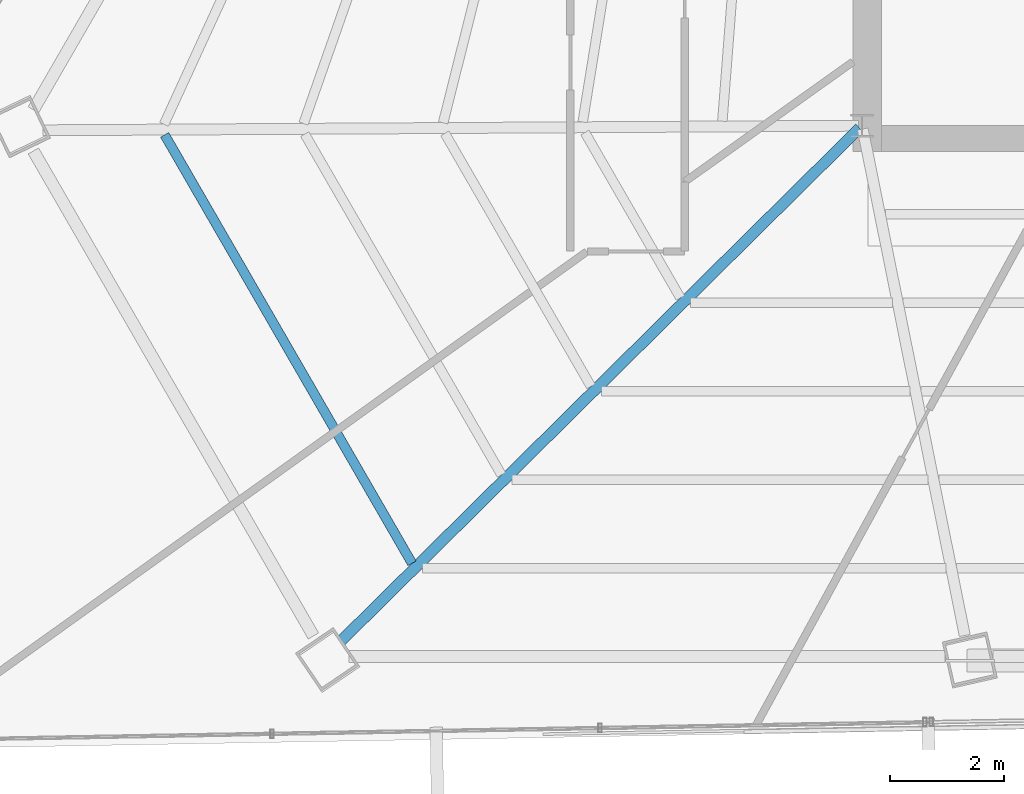
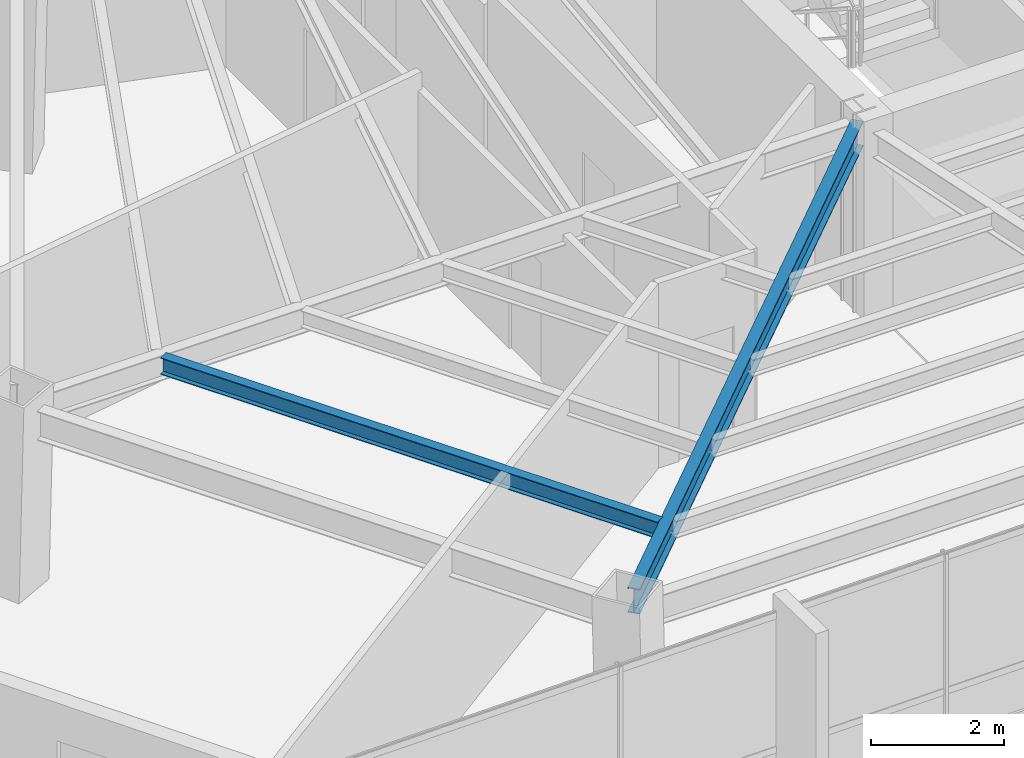
# One storey, part 7 of 42: 2 beams.
"""IFC4 building model written with IfcOpenShell, lengths in metres."""

import ifcopenshell
import ifcopenshell.guid

model = None  # the IFC model being written
_history = None  # IfcOwnerHistory: only IFC2X3 demands one
_inside = {}  # id of a spatial element -> (the spatial element, [elements in it])
_under = {}  # id of a project, library or spatial element -> (it, [spatial elements below it])
_declared = {}  # id of a project -> (the project, [libraries it declares])
_typed = {}  # id of a type object -> (the type object, [elements of that type])
_made_of = {}  # id of a material, layer set ... -> (it, [elements and type objects made of it])


def new_model(schema):
    """Start an empty IFC model of exactly this schema.

    Asked for "IFC4X3", IfcOpenShell would pick the latest addendum, in which some entities
    have other attributes; the version numbers below select the first issue.
    IFC2X3 requires an IfcOwnerHistory on every rooted entity: one is made here for all.
    """
    global model, _history
    if schema == "IFC4X3":
        model = ifcopenshell.file(schema_version=(4, 3, 0, 0))
    else:
        model = ifcopenshell.file(schema=schema)
    _inside.clear()
    _under.clear()
    _declared.clear()
    _typed.clear()
    _made_of.clear()
    _history = None
    if model.schema == "IFC2X3":
        org = make("IfcOrganization", Name="unknown")
        user = make(
            "IfcPersonAndOrganization",
            ThePerson=make("IfcPerson", FamilyName="unknown"),
            TheOrganization=org,
        )
        app = make(
            "IfcApplication",
            ApplicationDeveloper=org,
            Version="unknown",
            ApplicationFullName="unknown",
            ApplicationIdentifier="unknown",
        )
        _history = make(
            "IfcOwnerHistory",
            OwningUser=user,
            OwningApplication=app,
            ChangeAction="ADDED",
            CreationDate=0,
        )
    return model


def make(cls, **values):
    """One entity of the class cls with the attributes given. An attribute that is None is left unset."""
    return model.create_entity(
        cls, **{name: value for name, value in values.items() if value is not None}
    )


def rooted(cls, **values):
    """An entity with a GlobalId (a new one), such as an element, a storey or a relation."""
    return make(cls, GlobalId=ifcopenshell.guid.new(), OwnerHistory=_history, **values)


def si_unit(unit_type, name, prefix=None):
    """IfcSIUnit, for example si_unit("LENGTHUNIT", "METRE", prefix="MILLI")."""
    return make("IfcSIUnit", UnitType=unit_type, Prefix=prefix, Name=name)


def assignment(units):
    """IfcUnitAssignment: the units of a project."""
    return None if units is None else make("IfcUnitAssignment", Units=units)


def point(xyz):
    """IfcCartesianPoint."""
    return None if xyz is None else make("IfcCartesianPoint", Coordinates=xyz)


def direction(xyz):
    """IfcDirection."""
    return None if xyz is None else make("IfcDirection", DirectionRatios=xyz)


def frame(location, z_axis=None, x_axis=None):
    """IfcAxis2Placement3D, a coordinate frame: its origin and axes. An axis left out is left unset."""
    return make(
        "IfcAxis2Placement3D",
        Location=point(location),
        Axis=direction(z_axis),
        RefDirection=direction(x_axis),
    )


def frame_2d(location, x_axis=None):
    """IfcAxis2Placement2D, a coordinate frame in the plane: its origin and x axis."""
    return make(
        "IfcAxis2Placement2D", Location=point(location), RefDirection=direction(x_axis)
    )


def origin():
    """The frame at (0, 0, 0) with its axes left unset."""
    return frame((0.0, 0.0, 0.0))


def origin_2d():
    """The frame at (0, 0) in the plane with its x axis left unset."""
    return frame_2d((0.0, 0.0))


def place(relative_to, where):
    """IfcLocalPlacement: puts the frame where relative to a parent placement (None: the world)."""
    return make(
        "IfcLocalPlacement", PlacementRelTo=relative_to, RelativePlacement=where
    )


def context(
    kind, dimensions, precision=None, world=None, true_north=None, identifier=None
):
    """IfcGeometricRepresentationContext, for example the 3D "Model" context."""
    return make(
        "IfcGeometricRepresentationContext",
        ContextIdentifier=identifier,
        ContextType=kind,
        CoordinateSpaceDimension=dimensions,
        Precision=precision,
        WorldCoordinateSystem=world,
        TrueNorth=true_north,
    )


def subcontext(parent, identifier, kind, view, scale=None):
    """IfcGeometricRepresentationSubContext, for example "Body" below "Model"."""
    return make(
        "IfcGeometricRepresentationSubContext",
        ContextIdentifier=identifier,
        ContextType=kind,
        ParentContext=parent,
        TargetScale=scale,
        TargetView=view,
    )


def project(units=None, contexts=None):
    """IfcProject with its units and contexts."""
    return rooted(
        "IfcProject",
        Name="project",
        RepresentationContexts=contexts,
        UnitsInContext=assignment(units),
    )


def spatial(cls, under=None, at=None, **own):
    """A site, building, storey or space (cls), placed at a placement, below another one or the project."""
    s = rooted(cls, ObjectPlacement=at, **own)
    if under is not None:
        _under.setdefault(under.id(), (under, []))[1].append(s)
    return s


def profile(cls, at=None, kind="AREA", **sizes):
    """A parametric profile (cls). Its sizes go by their IFC names, for example OverallWidth=200.0."""
    return make(cls, ProfileType=kind, Position=at, **sizes)


def i_section(**sizes):
    """IfcIShapeProfileDef."""
    return profile("IfcIShapeProfileDef", **sizes)


def extrude(swept, where, along, depth):
    """IfcExtrudedAreaSolid: the profile swept, set in the frame where, extruded along a direction by depth."""
    return make(
        "IfcExtrudedAreaSolid",
        SweptArea=swept,
        Position=where,
        ExtrudedDirection=direction(along),
        Depth=depth,
    )


def shape(context_of_items, identifier, shape_type, items):
    """IfcShapeRepresentation: the items that make up one representation, for example the "Body"."""
    return make(
        "IfcShapeRepresentation",
        ContextOfItems=context_of_items,
        RepresentationIdentifier=identifier,
        RepresentationType=shape_type,
        Items=items,
    )


def source(mapping_origin, context_of_items, identifier, shape_type, items):
    """IfcRepresentationMap: a shape defined once, which mapped items show again and again."""
    return make(
        "IfcRepresentationMap",
        MappingOrigin=mapping_origin,
        MappedRepresentation=shape(context_of_items, identifier, shape_type, items),
    )


def transform(
    local_origin,
    x_axis=None,
    y_axis=None,
    z_axis=None,
    scale=None,
    scale2=None,
    scale3=None,
    uniform=True,
):
    """IfcCartesianTransformationOperator3D, or its non-uniform kind. x_axis, y_axis, z_axis: its Axis1, 2, 3."""
    if uniform:
        return make(
            "IfcCartesianTransformationOperator3D",
            Axis1=direction(x_axis),
            Axis2=direction(y_axis),
            LocalOrigin=point(local_origin),
            Scale=scale,
            Axis3=direction(z_axis),
        )
    return make(
        "IfcCartesianTransformationOperator3DnonUniform",
        Axis1=direction(x_axis),
        Axis2=direction(y_axis),
        LocalOrigin=point(local_origin),
        Scale=scale,
        Axis3=direction(z_axis),
        Scale2=scale2,
        Scale3=scale3,
    )


def mapped(mapping_source, mapping_target):
    """IfcMappedItem: shows the shape of a source again, moved by a transform."""
    return make(
        "IfcMappedItem", MappingSource=mapping_source, MappingTarget=mapping_target
    )


def material(Name=None, Category=None):
    """IfcMaterial."""
    return make("IfcMaterial", Name=Name, Category=Category)


def material_profile(
    of_material, cross_section, Name=None, Category=None, Priority=None
):
    """IfcMaterialProfile: a cross section and its material."""
    return make(
        "IfcMaterialProfile",
        Name=Name,
        Material=of_material,
        Profile=cross_section,
        Priority=Priority,
        Category=Category,
    )


def profile_set(profiles, Name=None, composite=None):
    """IfcMaterialProfileSet."""
    return make(
        "IfcMaterialProfileSet",
        Name=Name,
        MaterialProfiles=profiles,
        CompositeProfile=composite,
    )


def made_of(thing, what):
    """Note that an element or type object is made of a material, layer set ...; save() writes the relation."""
    if what is not None:
        _made_of.setdefault(what.id(), (what, []))[1].append(thing)
    return thing


def type_object(cls, material=None, **own):
    """A type object (cls), such as IfcWallType, which elements share."""
    return made_of(rooted(cls, **own), material)


def type_shapes(of_type, sources):
    """Give a type object the sources (RepresentationMaps) that its elements show as mapped items."""
    of_type.RepresentationMaps = sources


def element(
    cls,
    number,
    at=None,
    inside=None,
    cuts=None,
    type_object=None,
    material=None,
    context=None,
    identifier="Body",
    shape_type=None,
    held_by="IfcProductDefinitionShape",
    body=None,
    shapes=None,
    **own,
):
    """One element of the class cls, such as IfcWall. Its Tag is "e" and its number.

    at: its placement. inside: the storey or other place that contains it. cuts: it is an
    opening in that element (IfcRelVoidsElement). A single representation is given by context,
    identifier, shape_type and body (its items); several are given by shapes. held_by: the class
    of the entity that holds the representations. save() writes the other relations.
    """
    e = rooted(cls, Tag="e%d" % number, ObjectPlacement=at, **own)
    if body is not None:
        shapes = [shape(context, identifier, shape_type, body)]
    if shapes is not None:
        e.Representation = make(held_by, Representations=shapes)
    if inside is not None:
        _inside.setdefault(inside.id(), (inside, []))[1].append(e)
    if cuts is not None:
        rooted(
            "IfcRelVoidsElement", RelatingBuildingElement=cuts, RelatedOpeningElement=e
        )
    if type_object is not None:
        _typed.setdefault(type_object.id(), (type_object, []))[1].append(e)
    return made_of(e, material)


def aggregate(whole, parts):
    """IfcRelAggregates: a whole, such as a stair, and the parts it consists of."""
    return rooted("IfcRelAggregates", RelatingObject=whole, RelatedObjects=parts)


def save(model, path):
    """Write the relations noted so far, then the file.

    IfcRelAggregates (storeys below a building ...), IfcRelContainedInSpatialStructure (elements
    in a storey), IfcRelDefinesByType, IfcRelAssociatesMaterial and IfcRelDeclares: one each for
    every whole, place, type object, material and project.
    """
    for whole, parts in _under.values():
        aggregate(whole, parts)
    for where, things in _inside.values():
        rooted(
            "IfcRelContainedInSpatialStructure",
            RelatedElements=things,
            RelatingStructure=where,
        )
    for kind, things in _typed.values():
        rooted("IfcRelDefinesByType", RelatedObjects=things, RelatingType=kind)
    for what, things in _made_of.values():
        rooted("IfcRelAssociatesMaterial", RelatedObjects=things, RelatingMaterial=what)
    for by, libraries in _declared.values():
        rooted("IfcRelDeclares", RelatingContext=by, RelatedDefinitions=libraries)
    model.write(path)


model = new_model("IFC4")

# Units and contexts
model_context = context("Model", 3, precision=1e-05, world=origin(), true_north=direction((0.0, 1.0)))
body_context = subcontext(model_context, "Body", "Model", "MODEL_VIEW")
ifc_project = project(units=[si_unit("LENGTHUNIT", "METRE"), si_unit("AREAUNIT", "SQUARE_METRE"), si_unit("VOLUMEUNIT", "CUBIC_METRE"), si_unit("PLANEANGLEUNIT", "RADIAN"), si_unit("MASSUNIT", "GRAM", prefix="KILO")], contexts=[model_context])

# Site, building, storey
site_placement = place(None, origin())
site = spatial("IfcSite", under=ifc_project, at=site_placement, CompositionType="ELEMENT")
building_placement = place(site_placement, origin())
building = spatial("IfcBuilding", under=site, at=building_placement, Name="Caelisora Broadcast Tower", CompositionType="ELEMENT")
storey_placement = place(building_placement, frame((0.0, 0.0, 191.35009765625)))
storey = spatial("IfcBuildingStorey", under=building, at=storey_placement, Name="L50", CompositionType="ELEMENT", Elevation=191.35009765625)

# Beams
ifc_material = material(Name="Steel Grade 350 (AS/NZS 3679.1)", Category="steel")
ifc_material_profile_1 = material_profile(ifc_material, i_section(OverallWidth=0.19091796875, OverallDepth=0.46044921875, WebThickness=0.010009765625, FlangeThickness=0.01611328125, at=origin_2d()), Name="Steel Grade 350 (AS/NZS 3679.1)")
ifc_profile_set_1 = profile_set([ifc_material_profile_1], Name="Steel Grade 350 (AS/NZS 3679.1)")
beam_type_1 = type_object("IfcBeamType", Name="PG06", PredefinedType="BEAM", material=ifc_profile_set_1)
shared_shape_1 = source(origin(), body_context, "Body", "SweptSolid", [
    extrude(i_section(OverallWidth=0.19091796875, OverallDepth=0.46044921875, WebThickness=0.010009765625, FlangeThickness=0.01611328125, at=origin_2d()), origin(), (0.0, 0.0, 1.0), 12.766845703125),
])
type_shapes(beam_type_1, [shared_shape_1])
beam_1_placement = place(storey_placement, frame((30.457275390625, 17.35791015625, 3.169677734375), z_axis=(-0.710978116492, -0.703214133725, 0.0), x_axis=(0.703214133725, -0.710978116492, 0.0)))
element("IfcBeam", 1, at=beam_1_placement, inside=storey, type_object=beam_type_1, Name="L50 beam PG06", PredefinedType="BEAM", context=body_context, shape_type="MappedRepresentation", body=[
    mapped(shared_shape_1, transform((0.0, 0.0, 0.0), scale=1.0)),
])
ifc_material_profile_2 = material_profile(ifc_material, i_section(OverallWidth=0.166015625, OverallDepth=0.30712890625, WebThickness=0.006591796875, FlangeThickness=0.01171875, at=origin_2d()), Name="Steel Grade 350 (AS/NZS 3679.1)")
ifc_profile_set_2 = profile_set([ifc_material_profile_2], Name="Steel Grade 350 (AS/NZS 3679.1)")
beam_type_2 = type_object("IfcBeamType", Name="SB03", PredefinedType="JOIST", material=ifc_profile_set_2)
shared_shape_2 = source(origin(), body_context, "Body", "SweptSolid", [
    extrude(i_section(OverallWidth=0.166015625, OverallDepth=0.30712890625, WebThickness=0.006591796875, FlangeThickness=0.01171875, at=origin_2d()), origin(), (0.0, 0.0, 1.0), 8.65185546875),
])
type_shapes(beam_type_2, [shared_shape_2])
beam_2_placement = place(storey_placement, frame((18.3037109375, 17.23876953125, 3.246337890625), z_axis=(0.500002544707, -0.866023934592, 0.0), x_axis=(0.866023934592, 0.500002544707, 0.0)))
element("IfcBeam", 2, at=beam_2_placement, inside=storey, type_object=beam_type_2, Name="L50 beam SB03", PredefinedType="JOIST", context=body_context, shape_type="MappedRepresentation", body=[
    mapped(shared_shape_2, transform((0.0, 0.0, 0.0), scale=1.0)),
])

save(model, "model.ifc")
